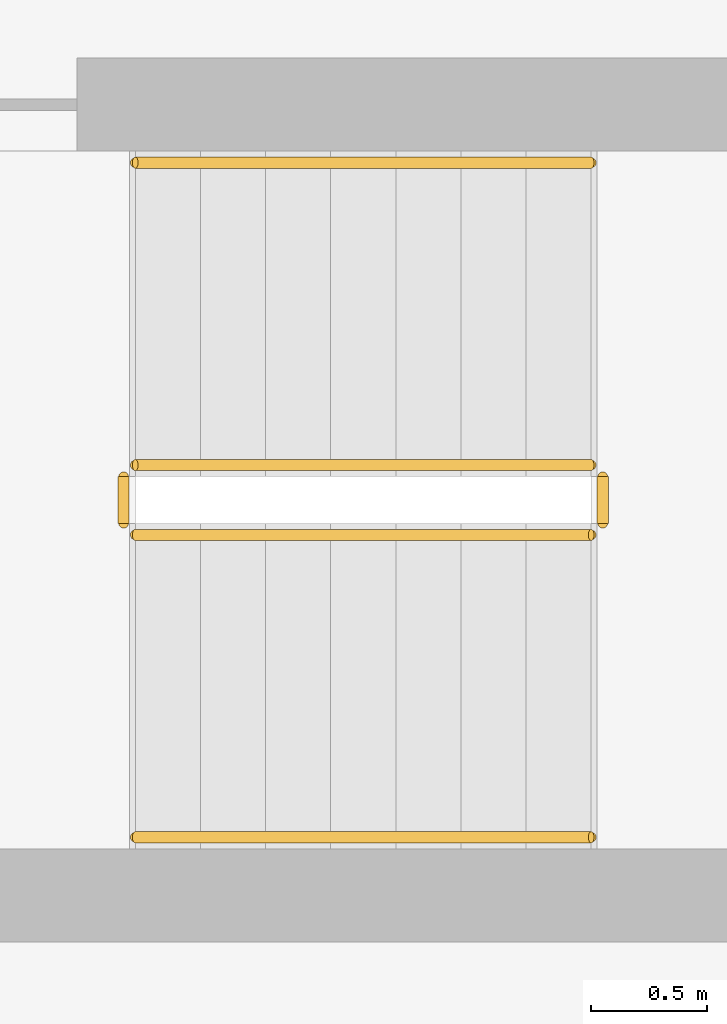
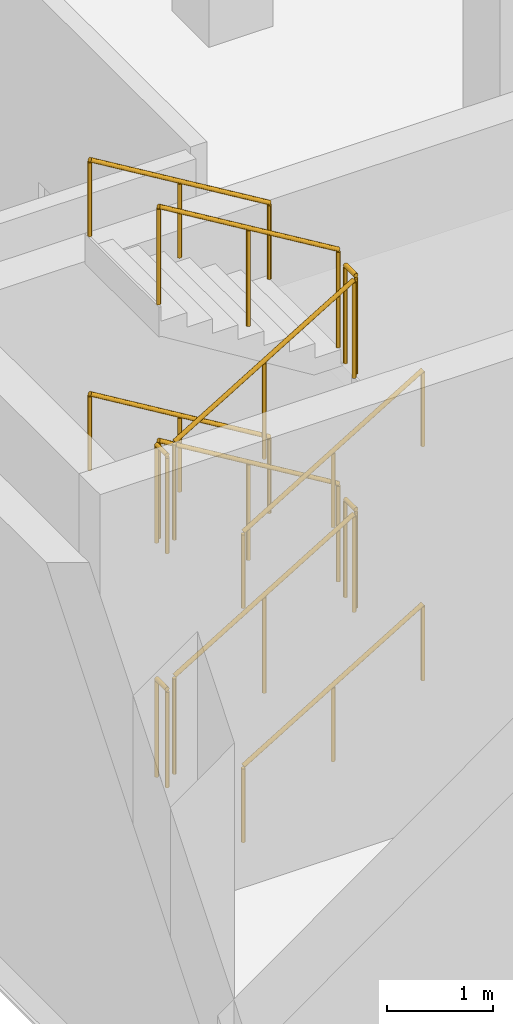
# One storey, part 28 of 32: 12 railings.
"""IFC4 building model written with IfcOpenShell, lengths in metres."""

from ifc_helpers import new_model, si_unit, direction, frame, origin, origin_2d, place, context, subcontext, project, spatial, circle, extrude, material, type_object, element, save


model = new_model("IFC4")

# Units and contexts
model_context = context("Model", 3, precision=1e-05, world=origin(), true_north=direction((0.0, 1.0)))
body_context = subcontext(model_context, "Body", "Model", "MODEL_VIEW")
ifc_project = project(units=[si_unit("LENGTHUNIT", "METRE"), si_unit("AREAUNIT", "SQUARE_METRE"), si_unit("VOLUMEUNIT", "CUBIC_METRE"), si_unit("PLANEANGLEUNIT", "RADIAN"), si_unit("MASSUNIT", "GRAM", prefix="KILO")], contexts=[model_context])

# Site, building, storey
site_placement = place(None, origin())
site = spatial("IfcSite", under=ifc_project, at=site_placement, CompositionType="ELEMENT")
building_placement = place(site_placement, origin())
building = spatial("IfcBuilding", under=site, at=building_placement, Name="Barlavira Tower and Art Museum", CompositionType="ELEMENT")
storey_placement = place(building_placement, frame((0.0, 0.0, 6.0)))
storey = spatial("IfcBuildingStorey", under=building, at=storey_placement, Name="L01", CompositionType="ELEMENT", Elevation=6.0)

# Railings
ifc_material = material(Name="Brushed stainless steel", Category="steel")
railing_type_1 = type_object("IfcRailingType", Name="Interior Void and Landing Guard Railing 1150", PredefinedType="GUARDRAIL", material=ifc_material)
railing_1_placement = place(storey_placement, frame((32.070068359375, -18.25, 0.168701171875)))
element("IfcRailing", 1, at=railing_1_placement, inside=storey, type_object=railing_type_1, Name="L01 ST-M1 stair guard 1", PredefinedType="GUARDRAIL", context=body_context, shape_type="SweptSolid", body=[
    extrude(circle(Radius=0.02392578125, at=origin_2d()), frame((0.0, 0.0, 1.1259765625), z_axis=(0.856446297458, 0.0, 0.516236127728), x_axis=(0.0, 1.0, 0.0)), (0.0, 0.0, 1.0), 2.28857421875),
    extrude(circle(Radius=0.02099609375, at=origin_2d()), origin(), (0.0, 0.0, 1.0), 1.101806640625),
    extrude(circle(Radius=0.02099609375, at=origin_2d()), frame((0.97998046875, 0.0, 0.5908203125)), (0.0, 0.0, 1.0), 1.101806640625),
    extrude(circle(Radius=0.02099609375, at=origin_2d()), frame((1.9599609375, 0.0, 1.181396484375)), (0.0, 0.0, 1.0), 1.101806640625),
])
railing_2_placement = place(storey_placement, frame((34.080078125, -18.199951171875, 1.35009765625)))
element("IfcRailing", 2, at=railing_2_placement, inside=storey, type_object=railing_type_1, Name="L01 ST-M1 stair guard 2", PredefinedType="GUARDRAIL", context=body_context, shape_type="SweptSolid", body=[
    extrude(circle(Radius=0.02392578125, at=origin_2d()), frame((0.0, 0.0, 1.1259765625), z_axis=(0.0, 1.0, 0.0), x_axis=(-1.0, 0.0, 0.0)), (0.0, 0.0, 1.0), 0.199951171875),
    extrude(circle(Radius=0.02099609375, at=origin_2d()), origin(), (0.0, 0.0, 1.0), 1.101806640625),
    extrude(circle(Radius=0.02099609375, at=origin_2d()), frame((0.0, 0.199951171875, 0.0)), (0.0, 0.0, 1.0), 1.101806640625),
])
railing_3_placement = place(storey_placement, frame((34.030029296875, -17.949951171875, 1.518798828125)))
element("IfcRailing", 3, at=railing_3_placement, inside=storey, type_object=railing_type_1, Name="L01 ST-M1 stair guard 3", PredefinedType="GUARDRAIL", context=body_context, shape_type="SweptSolid", body=[
    extrude(circle(Radius=0.02392578125, at=origin_2d()), frame((0.0, 0.0, 1.1259765625), z_axis=(-0.856493463811, 0.0, 0.516157869696), x_axis=(0.0, -1.0, 0.0)), (0.0, 0.0, 1.0), 2.288330078125),
    extrude(circle(Radius=0.02099609375, at=origin_2d()), origin(), (0.0, 0.0, 1.0), 1.101806640625),
    extrude(circle(Radius=0.02099609375, at=origin_2d()), frame((-0.97998046875, 0.0, 0.590576171875)), (0.0, 0.0, 1.0), 1.101806640625),
    extrude(circle(Radius=0.02099609375, at=origin_2d()), frame((-1.9599609375, 0.0, 1.18115234375)), (0.0, 0.0, 1.0), 1.101806640625),
])
railing_4_placement = place(storey_placement, frame((32.02001953125, -18.199951171875, 2.699951171875)))
element("IfcRailing", 4, at=railing_4_placement, inside=storey, type_object=railing_type_1, Name="L01 ST-M1 stair guard 4", PredefinedType="GUARDRAIL", context=body_context, shape_type="SweptSolid", body=[
    extrude(circle(Radius=0.02392578125, at=origin_2d()), frame((0.0, 0.0, 1.1259765625), z_axis=(0.0, 1.0, 0.0), x_axis=(-1.0, 0.0, 0.0)), (0.0, 0.0, 1.0), 0.199951171875),
    extrude(circle(Radius=0.02099609375, at=origin_2d()), origin(), (0.0, 0.0, 1.0), 1.101806640625),
    extrude(circle(Radius=0.02099609375, at=origin_2d()), frame((0.0, 0.199951171875, 0.0)), (0.0, 0.0, 1.0), 1.101806640625),
])
railing_5_placement = place(storey_placement, frame((32.070068359375, -18.25, 2.86865234375)))
element("IfcRailing", 5, at=railing_5_placement, inside=storey, type_object=railing_type_1, Name="L01 ST-M1 stair guard 5", PredefinedType="GUARDRAIL", context=body_context, shape_type="SweptSolid", body=[
    extrude(circle(Radius=0.02392578125, at=origin_2d()), frame((0.0, 0.0, 1.1259765625), z_axis=(0.856446297458, 0.0, 0.516236127728), x_axis=(0.0, 1.0, 0.0)), (0.0, 0.0, 1.0), 2.28857421875),
    extrude(circle(Radius=0.02099609375, at=origin_2d()), origin(), (0.0, 0.0, 1.0), 1.101806640625),
    extrude(circle(Radius=0.02099609375, at=origin_2d()), frame((0.97998046875, 0.0, 0.5908203125)), (0.0, 0.0, 1.0), 1.101806640625),
    extrude(circle(Radius=0.02099609375, at=origin_2d()), frame((1.9599609375, 0.0, 1.181396484375)), (0.0, 0.0, 1.0), 1.101806640625),
])
railing_6_placement = place(storey_placement, frame((34.080078125, -18.199951171875, 4.050048828125)))
element("IfcRailing", 6, at=railing_6_placement, inside=storey, type_object=railing_type_1, Name="L01 ST-M1 stair guard 6", PredefinedType="GUARDRAIL", context=body_context, shape_type="SweptSolid", body=[
    extrude(circle(Radius=0.02392578125, at=origin_2d()), frame((0.0, 0.0, 1.1259765625), z_axis=(0.0, 1.0, 0.0), x_axis=(-1.0, 0.0, 0.0)), (0.0, 0.0, 1.0), 0.199951171875),
    extrude(circle(Radius=0.02099609375, at=origin_2d()), origin(), (0.0, 0.0, 1.0), 1.101806640625),
    extrude(circle(Radius=0.02099609375, at=origin_2d()), frame((0.0, 0.199951171875, 0.0)), (0.0, 0.0, 1.0), 1.101806640625),
])
railing_7_placement = place(storey_placement, frame((34.030029296875, -17.949951171875, 4.21875)))
element("IfcRailing", 7, at=railing_7_placement, inside=storey, type_object=railing_type_1, Name="L01 ST-M1 stair guard 7", PredefinedType="GUARDRAIL", context=body_context, shape_type="SweptSolid", body=[
    extrude(circle(Radius=0.02392578125, at=origin_2d()), frame((0.0, 0.0, 1.1259765625), z_axis=(-0.856493463811, 0.0, 0.516157869696), x_axis=(0.0, -1.0, 0.0)), (0.0, 0.0, 1.0), 2.288330078125),
    extrude(circle(Radius=0.02099609375, at=origin_2d()), origin(), (0.0, 0.0, 1.0), 1.101806640625),
    extrude(circle(Radius=0.02099609375, at=origin_2d()), frame((-0.97998046875, 0.0, 0.590576171875)), (0.0, 0.0, 1.0), 1.101806640625),
    extrude(circle(Radius=0.02099609375, at=origin_2d()), frame((-1.9599609375, 0.0, 1.18115234375)), (0.0, 0.0, 1.0), 1.101806640625),
])
railing_8_placement = place(storey_placement, frame((32.02001953125, -18.199951171875, 0.0)))
element("IfcRailing", 8, at=railing_8_placement, inside=storey, type_object=railing_type_1, Name="L01 ST-M1 stair guard 8", PredefinedType="GUARDRAIL", context=body_context, shape_type="SweptSolid", body=[
    extrude(circle(Radius=0.02392578125, at=origin_2d()), frame((0.0, 0.0, 1.1259765625), z_axis=(0.0, 1.0, 0.0), x_axis=(-1.0, 0.0, 0.0)), (0.0, 0.0, 1.0), 0.199951171875),
    extrude(circle(Radius=0.02099609375, at=origin_2d()), origin(), (0.0, 0.0, 1.0), 1.101806640625),
    extrude(circle(Radius=0.02099609375, at=origin_2d()), frame((0.0, 0.199951171875, 0.0)), (0.0, 0.0, 1.0), 1.101806640625),
])
railing_type_2 = type_object("IfcRailingType", Name="Stair Pitch Tubular Steel Handrail 920", PredefinedType="HANDRAIL", material=ifc_material)
railing_9_placement = place(storey_placement, frame((32.070068359375, -19.550048828125, 0.168701171875)))
element("IfcRailing", 9, at=railing_9_placement, inside=storey, type_object=railing_type_2, Name="L01 ST-M1 stair handrail 1", PredefinedType="HANDRAIL", context=body_context, shape_type="SweptSolid", body=[
    extrude(circle(Radius=0.02392578125, at=origin_2d()), frame((0.0, 0.0, 0.8759765625), z_axis=(0.856446297458, 0.0, 0.516236127728), x_axis=(0.0, 1.0, 0.0)), (0.0, 0.0, 1.0), 2.28857421875),
    extrude(circle(Radius=0.02099609375, at=origin_2d()), origin(), (0.0, 0.0, 1.0), 0.851806640625),
    extrude(circle(Radius=0.02099609375, at=origin_2d()), frame((0.97998046875, 0.0, 0.5908203125)), (0.0, 0.0, 1.0), 0.851806640625),
    extrude(circle(Radius=0.02099609375, at=origin_2d()), frame((1.9599609375, 0.0, 1.181396484375)), (0.0, 0.0, 1.0), 0.851806640625),
])
railing_10_placement = place(storey_placement, frame((34.030029296875, -16.64990234375, 1.518798828125)))
element("IfcRailing", 10, at=railing_10_placement, inside=storey, type_object=railing_type_2, Name="L01 ST-M1 stair handrail 2", PredefinedType="HANDRAIL", context=body_context, shape_type="SweptSolid", body=[
    extrude(circle(Radius=0.02392578125, at=origin_2d()), frame((0.0, 0.0, 0.8759765625), z_axis=(-0.856493463811, 0.0, 0.516157869696), x_axis=(0.0, -1.0, 0.0)), (0.0, 0.0, 1.0), 2.288330078125),
    extrude(circle(Radius=0.02099609375, at=origin_2d()), origin(), (0.0, 0.0, 1.0), 0.851806640625),
    extrude(circle(Radius=0.02099609375, at=origin_2d()), frame((-0.97998046875, 0.0, 0.590576171875)), (0.0, 0.0, 1.0), 0.851806640625),
    extrude(circle(Radius=0.02099609375, at=origin_2d()), frame((-1.9599609375, 0.0, 1.18115234375)), (0.0, 0.0, 1.0), 0.851806640625),
])
railing_11_placement = place(storey_placement, frame((32.070068359375, -19.550048828125, 2.86865234375)))
element("IfcRailing", 11, at=railing_11_placement, inside=storey, type_object=railing_type_2, Name="L01 ST-M1 stair handrail 3", PredefinedType="HANDRAIL", context=body_context, shape_type="SweptSolid", body=[
    extrude(circle(Radius=0.02392578125, at=origin_2d()), frame((0.0, 0.0, 0.8759765625), z_axis=(0.856446297458, 0.0, 0.516236127728), x_axis=(0.0, 1.0, 0.0)), (0.0, 0.0, 1.0), 2.28857421875),
    extrude(circle(Radius=0.02099609375, at=origin_2d()), origin(), (0.0, 0.0, 1.0), 0.851806640625),
    extrude(circle(Radius=0.02099609375, at=origin_2d()), frame((0.97998046875, 0.0, 0.5908203125)), (0.0, 0.0, 1.0), 0.851806640625),
    extrude(circle(Radius=0.02099609375, at=origin_2d()), frame((1.9599609375, 0.0, 1.181396484375)), (0.0, 0.0, 1.0), 0.851806640625),
])
railing_12_placement = place(storey_placement, frame((34.030029296875, -16.64990234375, 4.21875)))
element("IfcRailing", 12, at=railing_12_placement, inside=storey, type_object=railing_type_2, Name="L01 ST-M1 stair handrail 4", PredefinedType="HANDRAIL", context=body_context, shape_type="SweptSolid", body=[
    extrude(circle(Radius=0.02392578125, at=origin_2d()), frame((0.0, 0.0, 0.8759765625), z_axis=(-0.856493463811, 0.0, 0.516157869696), x_axis=(0.0, -1.0, 0.0)), (0.0, 0.0, 1.0), 2.288330078125),
    extrude(circle(Radius=0.02099609375, at=origin_2d()), origin(), (0.0, 0.0, 1.0), 0.851806640625),
    extrude(circle(Radius=0.02099609375, at=origin_2d()), frame((-0.97998046875, 0.0, 0.590576171875)), (0.0, 0.0, 1.0), 0.851806640625),
    extrude(circle(Radius=0.02099609375, at=origin_2d()), frame((-1.9599609375, 0.0, 1.18115234375)), (0.0, 0.0, 1.0), 0.851806640625),
])

save(model, "model.ifc")
